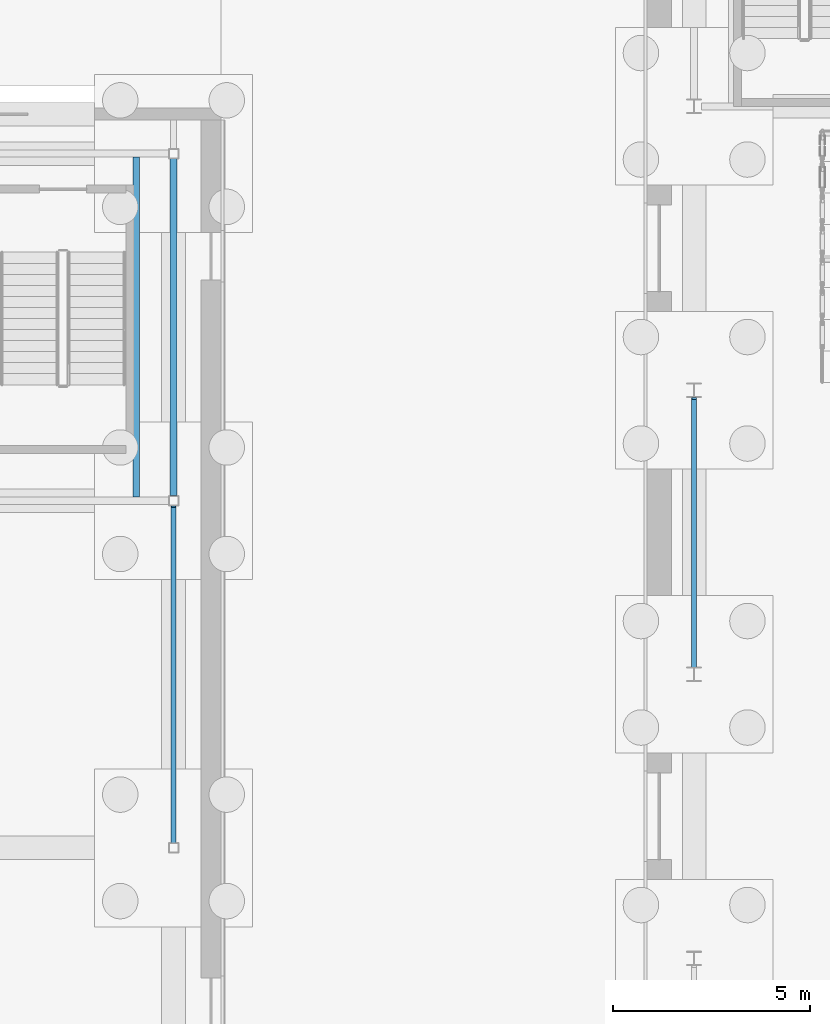
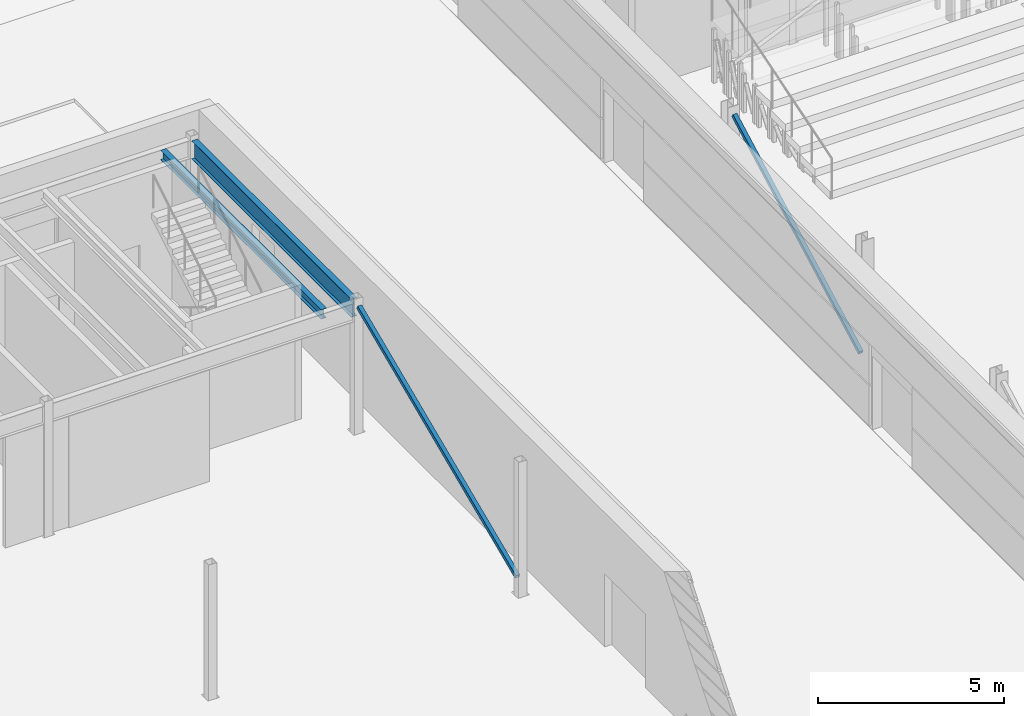
# One storey, part 41 of 139: 2 beams, 2 members.
"""IFC4 building model written with IfcOpenShell, lengths in metres."""

from ifc_helpers import new_model, si_unit, direction, frame, origin, origin_2d, place, context, subcontext, project, spatial, hollow_rectangle, i_section, extrude, material, material_profile, profile_set, type_object, element, save


model = new_model("IFC4")

# Units and contexts
model_context = context("Model", 3, precision=1e-05, world=origin(), true_north=direction((0.0, 1.0)))
body_context = subcontext(model_context, "Body", "Model", "MODEL_VIEW")
ifc_project = project(units=[si_unit("LENGTHUNIT", "METRE"), si_unit("AREAUNIT", "SQUARE_METRE"), si_unit("VOLUMEUNIT", "CUBIC_METRE"), si_unit("PLANEANGLEUNIT", "RADIAN"), si_unit("MASSUNIT", "GRAM", prefix="KILO")], contexts=[model_context])

# Site, building, storey
site_placement = place(None, origin())
site = spatial("IfcSite", under=ifc_project, at=site_placement, CompositionType="ELEMENT")
building_placement = place(site_placement, origin())
building = spatial("IfcBuilding", under=site, at=building_placement, Name="Verrick Yard Athletic Hall", CompositionType="ELEMENT")
storey_placement = place(building_placement, origin())
storey = spatial("IfcBuildingStorey", under=building, at=storey_placement, Name="L00", CompositionType="ELEMENT", Elevation=0.0)

# Beams
ifc_material_1 = material(Name="Structural steel 350W (CSA G40.21)", Category="steel")
ifc_material_profile_1 = material_profile(ifc_material_1, i_section(OverallWidth=0.178955078125, OverallDepth=0.60302734375, WebThickness=0.010986328125, FlangeThickness=0.014892578125, at=origin_2d()), Name="W610x92")
ifc_profile_set_1 = profile_set([ifc_material_profile_1], Name="Structural steel 350W (CSA G40.21)")
beam_type_1 = type_object("IfcBeamType", Name="HB girder W610x92", PredefinedType="BEAM", material=ifc_profile_set_1)
beam_1_placement = place(storey_placement, frame((108.39990234375, 90.927001953125, 3.948486328125), z_axis=(0.0, 1.0, 0.0), x_axis=(-1.0, 0.0, 0.0)))
element("IfcBeam", 1, at=beam_1_placement, inside=storey, type_object=beam_type_1, Name="HB-EB-C-L01-E", PredefinedType="BEAM", context=body_context, shape_type="SweptSolid", body=[
    extrude(i_section(OverallWidth=0.178955078125, OverallDepth=0.60302734375, WebThickness=0.010986328125, FlangeThickness=0.014892578125, at=origin_2d()), origin(), (0.0, 0.0, 1.0), 8.5458984375),
])
ifc_material_profile_2 = material_profile(ifc_material_1, i_section(OverallWidth=0.1650390625, OverallDepth=0.31005859375, WebThickness=0.005859375, FlangeThickness=0.009765625, at=origin_2d()), Name="W310x39")
ifc_profile_set_2 = profile_set([ifc_material_profile_2], Name="Structural steel 350W (CSA G40.21)")
beam_type_2 = type_object("IfcBeamType", Name="HB trimmer beam W310x39", PredefinedType="BEAM", material=ifc_profile_set_2)
beam_2_placement = place(storey_placement, frame((107.449951171875, 90.889404296875, 4.094970703125), z_axis=(0.0, 1.0, 0.0), x_axis=(-1.0, 0.0, 0.0)))
element("IfcBeam", 2, at=beam_2_placement, inside=storey, type_object=beam_type_2, Name="HB-TB-C-L01-2b", PredefinedType="BEAM", context=body_context, shape_type="SweptSolid", body=[
    extrude(i_section(OverallWidth=0.1650390625, OverallDepth=0.31005859375, WebThickness=0.005859375, FlangeThickness=0.009765625, at=origin_2d()), origin(), (0.0, 0.0, 1.0), 8.62109375),
])

# Members
ifc_material_2 = material(Name="Structural steel HSS Class C 350W (CSA G40.20/G40.21)", Category="steel")
ifc_material_profile_3 = material_profile(ifc_material_2, hollow_rectangle(XDim=0.126953125, YDim=0.126953125, WallThickness=0.009521484375, at=origin_2d()), Name="HSS127x127x9.5")
ifc_profile_set_3 = profile_set([ifc_material_profile_3], Name="Structural steel HSS Class C 350W (CSA G40.20/G40.21)")
member_type = type_object("IfcMemberType", Name="HB wall brace HSS127x127x9.5", PredefinedType="BRACE", material=ifc_profile_set_3)
member_1_placement = place(storey_placement, frame((121.60009765625, 86.608154296875, 0.46630859375), z_axis=(0.0, 0.879765571359, 0.475407761245), x_axis=(-1.0, 0.0, 0.0)))
element("IfcMember", 3, at=member_1_placement, inside=storey, type_object=member_type, Name="HB-BRW-AW-3-L00", PredefinedType="BRACE", context=body_context, shape_type="SweptSolid", body=[
    extrude(hollow_rectangle(XDim=0.126953125, YDim=0.126953125, WallThickness=0.009521484375, at=origin_2d()), origin(), (0.0, 0.0, 1.0), 7.710693359375),
])
member_2_placement = place(storey_placement, frame((108.39990234375, 82.152099609375, 0.4609375), z_axis=(0.0, 0.917749235459, 0.397160346479), x_axis=(-1.0, 0.0, 0.0)))
element("IfcMember", 4, at=member_2_placement, inside=storey, type_object=member_type, Name="HB-BRW-CE-L00", PredefinedType="BRACE", context=body_context, shape_type="SweptSolid", body=[
    extrude(hollow_rectangle(XDim=0.126953125, YDim=0.126953125, WallThickness=0.009521484375, at=origin_2d()), origin(), (0.0, 0.0, 1.0), 9.257080078125),
])

save(model, "model.ifc")
